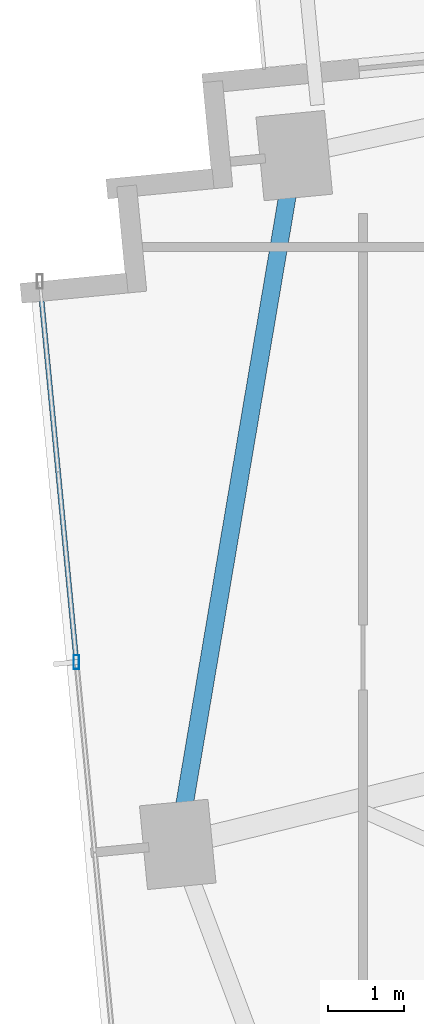
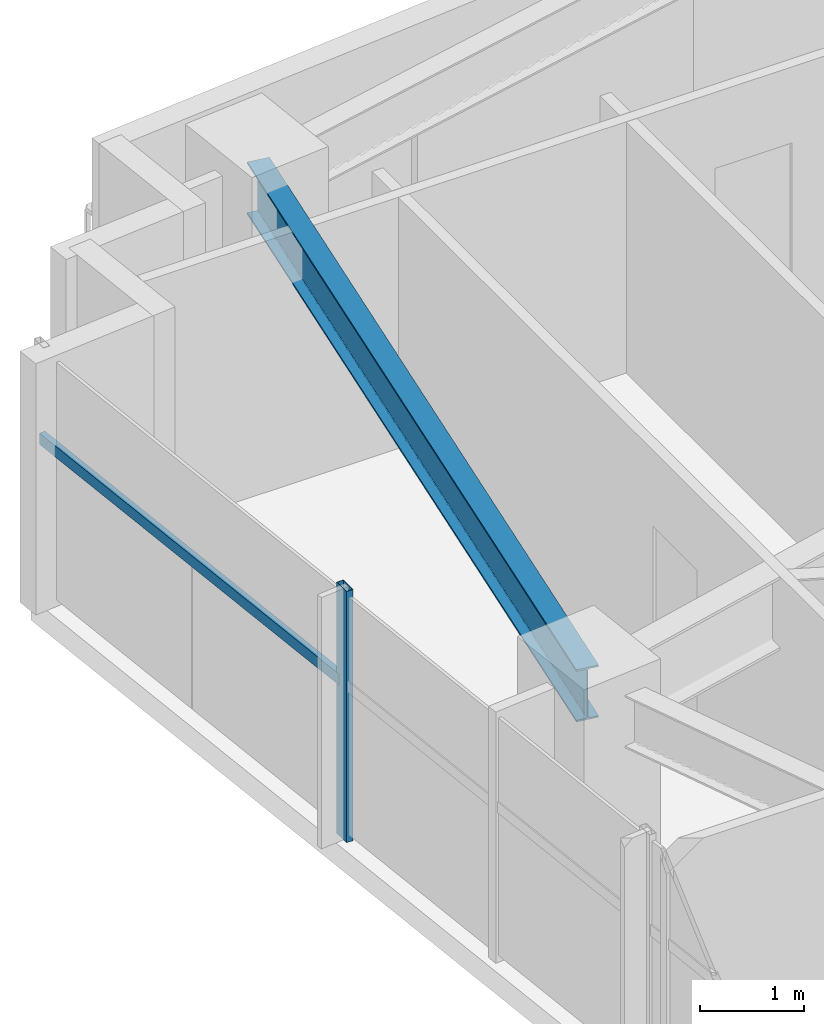
# One storey, part 4 of 25: 2 members, 1 beam, 1 element without a shape of its own.
"""IFC4 building model written with IfcOpenShell, lengths in metres."""

import ifcopenshell
import ifcopenshell.guid

model = None  # the IFC model being written
_history = None  # IfcOwnerHistory: only IFC2X3 demands one
_inside = {}  # id of a spatial element -> (the spatial element, [elements in it])
_under = {}  # id of a project, library or spatial element -> (it, [spatial elements below it])
_declared = {}  # id of a project -> (the project, [libraries it declares])
_typed = {}  # id of a type object -> (the type object, [elements of that type])
_made_of = {}  # id of a material, layer set ... -> (it, [elements and type objects made of it])


def new_model(schema):
    """Start an empty IFC model of exactly this schema.

    Asked for "IFC4X3", IfcOpenShell would pick the latest addendum, in which some entities
    have other attributes; the version numbers below select the first issue.
    IFC2X3 requires an IfcOwnerHistory on every rooted entity: one is made here for all.
    """
    global model, _history
    if schema == "IFC4X3":
        model = ifcopenshell.file(schema_version=(4, 3, 0, 0))
    else:
        model = ifcopenshell.file(schema=schema)
    _inside.clear()
    _under.clear()
    _declared.clear()
    _typed.clear()
    _made_of.clear()
    _history = None
    if model.schema == "IFC2X3":
        org = make("IfcOrganization", Name="unknown")
        user = make(
            "IfcPersonAndOrganization",
            ThePerson=make("IfcPerson", FamilyName="unknown"),
            TheOrganization=org,
        )
        app = make(
            "IfcApplication",
            ApplicationDeveloper=org,
            Version="unknown",
            ApplicationFullName="unknown",
            ApplicationIdentifier="unknown",
        )
        _history = make(
            "IfcOwnerHistory",
            OwningUser=user,
            OwningApplication=app,
            ChangeAction="ADDED",
            CreationDate=0,
        )
    return model


def make(cls, **values):
    """One entity of the class cls with the attributes given. An attribute that is None is left unset."""
    return model.create_entity(
        cls, **{name: value for name, value in values.items() if value is not None}
    )


def rooted(cls, **values):
    """An entity with a GlobalId (a new one), such as an element, a storey or a relation."""
    return make(cls, GlobalId=ifcopenshell.guid.new(), OwnerHistory=_history, **values)


def si_unit(unit_type, name, prefix=None):
    """IfcSIUnit, for example si_unit("LENGTHUNIT", "METRE", prefix="MILLI")."""
    return make("IfcSIUnit", UnitType=unit_type, Prefix=prefix, Name=name)


def assignment(units):
    """IfcUnitAssignment: the units of a project."""
    return None if units is None else make("IfcUnitAssignment", Units=units)


def point(xyz):
    """IfcCartesianPoint."""
    return None if xyz is None else make("IfcCartesianPoint", Coordinates=xyz)


def direction(xyz):
    """IfcDirection."""
    return None if xyz is None else make("IfcDirection", DirectionRatios=xyz)


def frame(location, z_axis=None, x_axis=None):
    """IfcAxis2Placement3D, a coordinate frame: its origin and axes. An axis left out is left unset."""
    return make(
        "IfcAxis2Placement3D",
        Location=point(location),
        Axis=direction(z_axis),
        RefDirection=direction(x_axis),
    )


def frame_2d(location, x_axis=None):
    """IfcAxis2Placement2D, a coordinate frame in the plane: its origin and x axis."""
    return make(
        "IfcAxis2Placement2D", Location=point(location), RefDirection=direction(x_axis)
    )


def origin():
    """The frame at (0, 0, 0) with its axes left unset."""
    return frame((0.0, 0.0, 0.0))


def origin_2d():
    """The frame at (0, 0) in the plane with its x axis left unset."""
    return frame_2d((0.0, 0.0))


def place(relative_to, where):
    """IfcLocalPlacement: puts the frame where relative to a parent placement (None: the world)."""
    return make(
        "IfcLocalPlacement", PlacementRelTo=relative_to, RelativePlacement=where
    )


def context(
    kind, dimensions, precision=None, world=None, true_north=None, identifier=None
):
    """IfcGeometricRepresentationContext, for example the 3D "Model" context."""
    return make(
        "IfcGeometricRepresentationContext",
        ContextIdentifier=identifier,
        ContextType=kind,
        CoordinateSpaceDimension=dimensions,
        Precision=precision,
        WorldCoordinateSystem=world,
        TrueNorth=true_north,
    )


def subcontext(parent, identifier, kind, view, scale=None):
    """IfcGeometricRepresentationSubContext, for example "Body" below "Model"."""
    return make(
        "IfcGeometricRepresentationSubContext",
        ContextIdentifier=identifier,
        ContextType=kind,
        ParentContext=parent,
        TargetScale=scale,
        TargetView=view,
    )


def project(units=None, contexts=None):
    """IfcProject with its units and contexts."""
    return rooted(
        "IfcProject",
        Name="project",
        RepresentationContexts=contexts,
        UnitsInContext=assignment(units),
    )


def spatial(cls, under=None, at=None, **own):
    """A site, building, storey or space (cls), placed at a placement, below another one or the project."""
    s = rooted(cls, ObjectPlacement=at, **own)
    if under is not None:
        _under.setdefault(under.id(), (under, []))[1].append(s)
    return s


def profile(cls, at=None, kind="AREA", **sizes):
    """A parametric profile (cls). Its sizes go by their IFC names, for example OverallWidth=200.0."""
    return make(cls, ProfileType=kind, Position=at, **sizes)


def hollow_rectangle(**sizes):
    """IfcRectangleHollowProfileDef."""
    return profile("IfcRectangleHollowProfileDef", **sizes)


def i_section(**sizes):
    """IfcIShapeProfileDef."""
    return profile("IfcIShapeProfileDef", **sizes)


def extrude(swept, where, along, depth):
    """IfcExtrudedAreaSolid: the profile swept, set in the frame where, extruded along a direction by depth."""
    return make(
        "IfcExtrudedAreaSolid",
        SweptArea=swept,
        Position=where,
        ExtrudedDirection=direction(along),
        Depth=depth,
    )


def shape(context_of_items, identifier, shape_type, items):
    """IfcShapeRepresentation: the items that make up one representation, for example the "Body"."""
    return make(
        "IfcShapeRepresentation",
        ContextOfItems=context_of_items,
        RepresentationIdentifier=identifier,
        RepresentationType=shape_type,
        Items=items,
    )


def source(mapping_origin, context_of_items, identifier, shape_type, items):
    """IfcRepresentationMap: a shape defined once, which mapped items show again and again."""
    return make(
        "IfcRepresentationMap",
        MappingOrigin=mapping_origin,
        MappedRepresentation=shape(context_of_items, identifier, shape_type, items),
    )


def transform(
    local_origin,
    x_axis=None,
    y_axis=None,
    z_axis=None,
    scale=None,
    scale2=None,
    scale3=None,
    uniform=True,
):
    """IfcCartesianTransformationOperator3D, or its non-uniform kind. x_axis, y_axis, z_axis: its Axis1, 2, 3."""
    if uniform:
        return make(
            "IfcCartesianTransformationOperator3D",
            Axis1=direction(x_axis),
            Axis2=direction(y_axis),
            LocalOrigin=point(local_origin),
            Scale=scale,
            Axis3=direction(z_axis),
        )
    return make(
        "IfcCartesianTransformationOperator3DnonUniform",
        Axis1=direction(x_axis),
        Axis2=direction(y_axis),
        LocalOrigin=point(local_origin),
        Scale=scale,
        Axis3=direction(z_axis),
        Scale2=scale2,
        Scale3=scale3,
    )


def mapped(mapping_source, mapping_target):
    """IfcMappedItem: shows the shape of a source again, moved by a transform."""
    return make(
        "IfcMappedItem", MappingSource=mapping_source, MappingTarget=mapping_target
    )


def material(Name=None, Category=None):
    """IfcMaterial."""
    return make("IfcMaterial", Name=Name, Category=Category)


def material_profile(
    of_material, cross_section, Name=None, Category=None, Priority=None
):
    """IfcMaterialProfile: a cross section and its material."""
    return make(
        "IfcMaterialProfile",
        Name=Name,
        Material=of_material,
        Profile=cross_section,
        Priority=Priority,
        Category=Category,
    )


def profile_set(profiles, Name=None, composite=None):
    """IfcMaterialProfileSet."""
    return make(
        "IfcMaterialProfileSet",
        Name=Name,
        MaterialProfiles=profiles,
        CompositeProfile=composite,
    )


def made_of(thing, what):
    """Note that an element or type object is made of a material, layer set ...; save() writes the relation."""
    if what is not None:
        _made_of.setdefault(what.id(), (what, []))[1].append(thing)
    return thing


def type_object(cls, material=None, **own):
    """A type object (cls), such as IfcWallType, which elements share."""
    return made_of(rooted(cls, **own), material)


def type_shapes(of_type, sources):
    """Give a type object the sources (RepresentationMaps) that its elements show as mapped items."""
    of_type.RepresentationMaps = sources


def element(
    cls,
    number,
    at=None,
    inside=None,
    cuts=None,
    type_object=None,
    material=None,
    context=None,
    identifier="Body",
    shape_type=None,
    held_by="IfcProductDefinitionShape",
    body=None,
    shapes=None,
    **own,
):
    """One element of the class cls, such as IfcWall. Its Tag is "e" and its number.

    at: its placement. inside: the storey or other place that contains it. cuts: it is an
    opening in that element (IfcRelVoidsElement). A single representation is given by context,
    identifier, shape_type and body (its items); several are given by shapes. held_by: the class
    of the entity that holds the representations. save() writes the other relations.
    """
    e = rooted(cls, Tag="e%d" % number, ObjectPlacement=at, **own)
    if body is not None:
        shapes = [shape(context, identifier, shape_type, body)]
    if shapes is not None:
        e.Representation = make(held_by, Representations=shapes)
    if inside is not None:
        _inside.setdefault(inside.id(), (inside, []))[1].append(e)
    if cuts is not None:
        rooted(
            "IfcRelVoidsElement", RelatingBuildingElement=cuts, RelatedOpeningElement=e
        )
    if type_object is not None:
        _typed.setdefault(type_object.id(), (type_object, []))[1].append(e)
    return made_of(e, material)


def aggregate(whole, parts):
    """IfcRelAggregates: a whole, such as a stair, and the parts it consists of."""
    return rooted("IfcRelAggregates", RelatingObject=whole, RelatedObjects=parts)


def save(model, path):
    """Write the relations noted so far, then the file.

    IfcRelAggregates (storeys below a building ...), IfcRelContainedInSpatialStructure (elements
    in a storey), IfcRelDefinesByType, IfcRelAssociatesMaterial and IfcRelDeclares: one each for
    every whole, place, type object, material and project.
    """
    for whole, parts in _under.values():
        aggregate(whole, parts)
    for where, things in _inside.values():
        rooted(
            "IfcRelContainedInSpatialStructure",
            RelatedElements=things,
            RelatingStructure=where,
        )
    for kind, things in _typed.values():
        rooted("IfcRelDefinesByType", RelatedObjects=things, RelatingType=kind)
    for what, things in _made_of.values():
        rooted("IfcRelAssociatesMaterial", RelatedObjects=things, RelatingMaterial=what)
    for by, libraries in _declared.values():
        rooted("IfcRelDeclares", RelatingContext=by, RelatedDefinitions=libraries)
    model.write(path)


model = new_model("IFC4")

# Units and contexts
model_context = context("Model", 3, precision=1e-05, world=origin(), true_north=direction((0.0, 1.0)))
body_context = subcontext(model_context, "Body", "Model", "MODEL_VIEW")
ifc_project = project(units=[si_unit("LENGTHUNIT", "METRE"), si_unit("AREAUNIT", "SQUARE_METRE"), si_unit("VOLUMEUNIT", "CUBIC_METRE"), si_unit("PLANEANGLEUNIT", "RADIAN"), si_unit("MASSUNIT", "GRAM", prefix="KILO")], contexts=[model_context])

# Site, building, storey
site_placement = place(None, origin())
site = spatial("IfcSite", under=ifc_project, at=site_placement, CompositionType="ELEMENT")
building_placement = place(site_placement, origin())
building = spatial("IfcBuilding", under=site, at=building_placement, Name="Astriad Promenade Condominiums", CompositionType="ELEMENT")
storey_placement = place(building_placement, frame((0.0, 0.0, 103.39990234375)))
storey = spatial("IfcBuildingStorey", under=building, at=storey_placement, Name="L29", CompositionType="ELEMENT", Elevation=103.39990234375)

# Beam
ifc_material_1 = material(Name="Steel ASTM A992 Grade 50", Category="steel")
ifc_material_profile_1 = material_profile(ifc_material_1, i_section(OverallWidth=0.22900390625, OverallDepth=0.612060546875, WebThickness=0.011962890625, FlangeThickness=0.01953125, FilletRadius=0.017822265625, at=origin_2d()), Name="W24X84")
ifc_profile_set_1 = profile_set([ifc_material_profile_1], Name="Steel ASTM A992 Grade 50")
beam_type = type_object("IfcBeamType", Name="STEEL SPANDREL BEAM W24X84", PredefinedType="SPANDREL", material=ifc_profile_set_1)
shared_shape_1 = source(origin(), body_context, "Body", "SweptSolid", [
    extrude(i_section(OverallWidth=0.22900390625, OverallDepth=0.612060546875, WebThickness=0.011962890625, FlangeThickness=0.01953125, FilletRadius=0.017822265625, at=origin_2d()), origin(), (0.0, 0.0, 1.0), 9.055419921875),
])
type_shapes(beam_type, [shared_shape_1])
beam_placement = place(storey_placement, frame((12.2685546875, 22.52880859375, 2.634033203125), z_axis=(-0.166776851291, -0.98599466625, 0.0), x_axis=(0.98599466625, -0.166776851291, 0.0)))
element("IfcBeam", 1, at=beam_placement, inside=storey, type_object=beam_type, Name="Perimeter Spandrel Beam SP-W2-L29", PredefinedType="SPANDREL", context=body_context, shape_type="MappedRepresentation", body=[
    mapped(shared_shape_1, transform((0.0, 0.0, 0.0), scale=1.0)),
])

# Curtain wall, members
ifc_material_2 = material(Name="Anodised aluminium Black Dark Glass Unitised", Category="aluminium")
curtain_wall_type = type_object("IfcCurtainWallType", Name="CW-B2-DARK", PredefinedType="USERDEFINED", material=ifc_material_2)
curtain_wall_placement = place(storey_placement, origin())
curtain_wall = element("IfcCurtainWall", 2, at=curtain_wall_placement, inside=storey, type_object=curtain_wall_type, Name="CW-L29-W", ObjectType="UNITISED_CURTAIN_WALL", PredefinedType="USERDEFINED")
ifc_material_3 = material(Name="Anodised aluminium 6063-T6 Black", Category="aluminium")
ifc_material_profile_2 = material_profile(ifc_material_3, hollow_rectangle(XDim=0.074951171875, YDim=0.18505859375, WallThickness=0.00439453125, at=origin_2d()), Name="ALU-MUL-75X185")
ifc_profile_set_2 = profile_set([ifc_material_profile_2], Name="Anodised aluminium 6063-T6 Black")
member_type_1 = type_object("IfcMemberType", Name="MUL-ALU-MUL-75X185", PredefinedType="MULLION", material=ifc_profile_set_2)
shared_shape_2 = source(origin(), body_context, "Body", "SweptSolid", [
    extrude(hollow_rectangle(XDim=0.074951171875, YDim=0.18505859375, WallThickness=0.00439453125, at=origin_2d()), origin(), (0.0, 0.0, 1.0), 2.940185546875),
])
type_shapes(member_type_1, [shared_shape_2])
member_1_placement = place(storey_placement, frame((9.427001953125, 15.94482421875, 0.0), z_axis=(0.0, 0.0, 1.0), x_axis=(1.0, 0.0, 0.0)))
member_1 = element("IfcMember", 3, at=member_1_placement, type_object=member_type_1, Name="CW-L29-W-MUL-02", PredefinedType="MULLION", context=body_context, shape_type="MappedRepresentation", body=[
    mapped(shared_shape_2, transform((0.0, 0.0, 0.0), scale=1.0)),
])
ifc_material_profile_3 = material_profile(ifc_material_3, hollow_rectangle(XDim=0.06494140625, YDim=0.1298828125, WallThickness=0.00390625, at=origin_2d()), Name="ALU-TRN-65X130")
ifc_profile_set_3 = profile_set([ifc_material_profile_3], Name="Anodised aluminium 6063-T6 Black")
member_type_2 = type_object("IfcMemberType", Name="TRN-ALU-TRN-65X130", PredefinedType="USERDEFINED", material=ifc_profile_set_3)
shared_shape_3 = source(origin(), body_context, "Body", "SweptSolid", [
    extrude(hollow_rectangle(XDim=0.06494140625, YDim=0.1298828125, WallThickness=0.00390625, at=origin_2d()), origin(), (0.0, 0.0, 1.0), 5.0),
])
type_shapes(member_type_2, [shared_shape_3])
member_2_placement = place(storey_placement, frame((9.427001953125, 15.94482421875, 1.822998046875), z_axis=(-0.095848242264, 0.995395958629, 0.0), x_axis=(-0.995395958629, -0.095848242264, 0.0)))
member_2 = element("IfcMember", 4, at=member_2_placement, type_object=member_type_2, Name="CW-L29-W-TRN-02-0", ObjectType="TRANSOM", PredefinedType="USERDEFINED", context=body_context, shape_type="MappedRepresentation", body=[
    mapped(shared_shape_3, transform((0.0, 0.0, 0.0), scale=1.0)),
])
aggregate(curtain_wall, [member_1, member_2])

save(model, "model.ifc")
